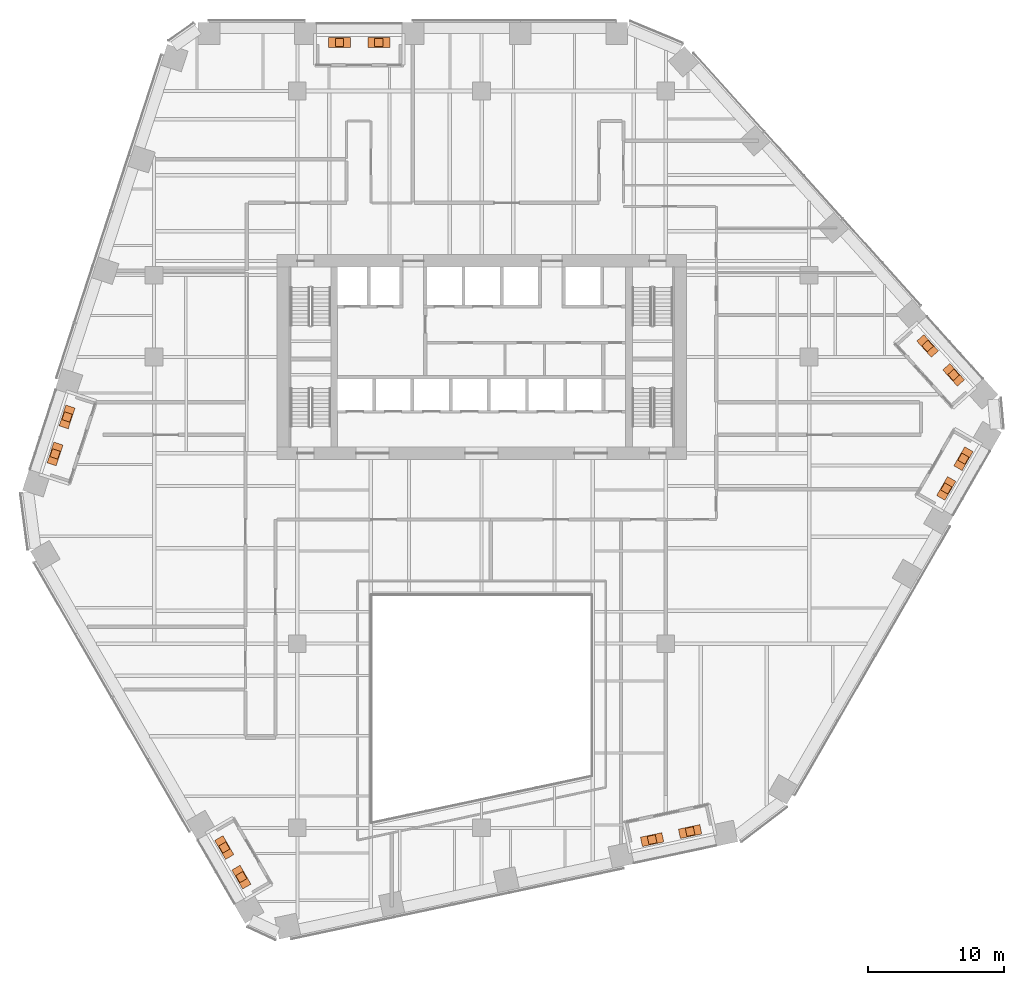
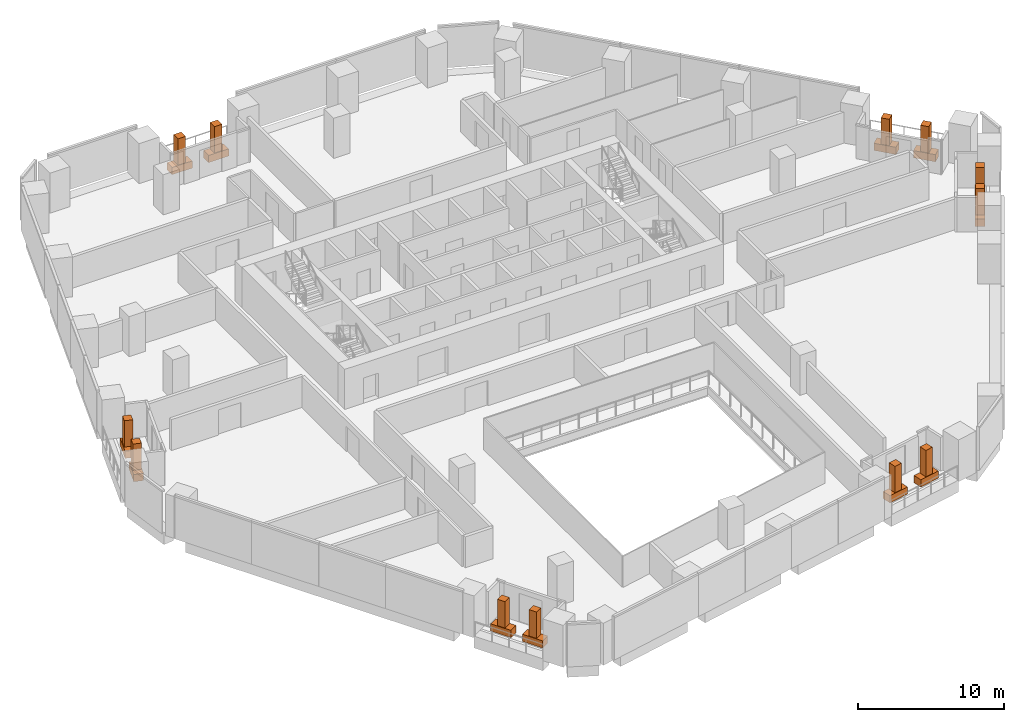
# One storey, part 31 of 31: 12 geographic elements, 12 proxies.
"""IFC4 building model written with IfcOpenShell, lengths in metres."""

import ifcopenshell
import ifcopenshell.guid

model = None  # the IFC model being written
_history = None  # IfcOwnerHistory: only IFC2X3 demands one
_inside = {}  # id of a spatial element -> (the spatial element, [elements in it])
_under = {}  # id of a project, library or spatial element -> (it, [spatial elements below it])
_declared = {}  # id of a project -> (the project, [libraries it declares])
_typed = {}  # id of a type object -> (the type object, [elements of that type])
_made_of = {}  # id of a material, layer set ... -> (it, [elements and type objects made of it])


def new_model(schema):
    """Start an empty IFC model of exactly this schema.

    Asked for "IFC4X3", IfcOpenShell would pick the latest addendum, in which some entities
    have other attributes; the version numbers below select the first issue.
    IFC2X3 requires an IfcOwnerHistory on every rooted entity: one is made here for all.
    """
    global model, _history
    if schema == "IFC4X3":
        model = ifcopenshell.file(schema_version=(4, 3, 0, 0))
    else:
        model = ifcopenshell.file(schema=schema)
    _inside.clear()
    _under.clear()
    _declared.clear()
    _typed.clear()
    _made_of.clear()
    _history = None
    if model.schema == "IFC2X3":
        org = make("IfcOrganization", Name="unknown")
        user = make(
            "IfcPersonAndOrganization",
            ThePerson=make("IfcPerson", FamilyName="unknown"),
            TheOrganization=org,
        )
        app = make(
            "IfcApplication",
            ApplicationDeveloper=org,
            Version="unknown",
            ApplicationFullName="unknown",
            ApplicationIdentifier="unknown",
        )
        _history = make(
            "IfcOwnerHistory",
            OwningUser=user,
            OwningApplication=app,
            ChangeAction="ADDED",
            CreationDate=0,
        )
    return model


def make(cls, **values):
    """One entity of the class cls with the attributes given. An attribute that is None is left unset."""
    return model.create_entity(
        cls, **{name: value for name, value in values.items() if value is not None}
    )


def rooted(cls, **values):
    """An entity with a GlobalId (a new one), such as an element, a storey or a relation."""
    return make(cls, GlobalId=ifcopenshell.guid.new(), OwnerHistory=_history, **values)


def si_unit(unit_type, name, prefix=None):
    """IfcSIUnit, for example si_unit("LENGTHUNIT", "METRE", prefix="MILLI")."""
    return make("IfcSIUnit", UnitType=unit_type, Prefix=prefix, Name=name)


def assignment(units):
    """IfcUnitAssignment: the units of a project."""
    return None if units is None else make("IfcUnitAssignment", Units=units)


def point(xyz):
    """IfcCartesianPoint."""
    return None if xyz is None else make("IfcCartesianPoint", Coordinates=xyz)


def direction(xyz):
    """IfcDirection."""
    return None if xyz is None else make("IfcDirection", DirectionRatios=xyz)


def frame(location, z_axis=None, x_axis=None):
    """IfcAxis2Placement3D, a coordinate frame: its origin and axes. An axis left out is left unset."""
    return make(
        "IfcAxis2Placement3D",
        Location=point(location),
        Axis=direction(z_axis),
        RefDirection=direction(x_axis),
    )


def frame_2d(location, x_axis=None):
    """IfcAxis2Placement2D, a coordinate frame in the plane: its origin and x axis."""
    return make(
        "IfcAxis2Placement2D", Location=point(location), RefDirection=direction(x_axis)
    )


def origin():
    """The frame at (0, 0, 0) with its axes left unset."""
    return frame((0.0, 0.0, 0.0))


def origin_2d():
    """The frame at (0, 0) in the plane with its x axis left unset."""
    return frame_2d((0.0, 0.0))


def place(relative_to, where):
    """IfcLocalPlacement: puts the frame where relative to a parent placement (None: the world)."""
    return make(
        "IfcLocalPlacement", PlacementRelTo=relative_to, RelativePlacement=where
    )


def context(
    kind, dimensions, precision=None, world=None, true_north=None, identifier=None
):
    """IfcGeometricRepresentationContext, for example the 3D "Model" context."""
    return make(
        "IfcGeometricRepresentationContext",
        ContextIdentifier=identifier,
        ContextType=kind,
        CoordinateSpaceDimension=dimensions,
        Precision=precision,
        WorldCoordinateSystem=world,
        TrueNorth=true_north,
    )


def subcontext(parent, identifier, kind, view, scale=None):
    """IfcGeometricRepresentationSubContext, for example "Body" below "Model"."""
    return make(
        "IfcGeometricRepresentationSubContext",
        ContextIdentifier=identifier,
        ContextType=kind,
        ParentContext=parent,
        TargetScale=scale,
        TargetView=view,
    )


def project(units=None, contexts=None):
    """IfcProject with its units and contexts."""
    return rooted(
        "IfcProject",
        Name="project",
        RepresentationContexts=contexts,
        UnitsInContext=assignment(units),
    )


def spatial(cls, under=None, at=None, **own):
    """A site, building, storey or space (cls), placed at a placement, below another one or the project."""
    s = rooted(cls, ObjectPlacement=at, **own)
    if under is not None:
        _under.setdefault(under.id(), (under, []))[1].append(s)
    return s


def profile(cls, at=None, kind="AREA", **sizes):
    """A parametric profile (cls). Its sizes go by their IFC names, for example OverallWidth=200.0."""
    return make(cls, ProfileType=kind, Position=at, **sizes)


def rectangle(**sizes):
    """IfcRectangleProfileDef."""
    return profile("IfcRectangleProfileDef", **sizes)


def extrude(swept, where, along, depth):
    """IfcExtrudedAreaSolid: the profile swept, set in the frame where, extruded along a direction by depth."""
    return make(
        "IfcExtrudedAreaSolid",
        SweptArea=swept,
        Position=where,
        ExtrudedDirection=direction(along),
        Depth=depth,
    )


def shape(context_of_items, identifier, shape_type, items):
    """IfcShapeRepresentation: the items that make up one representation, for example the "Body"."""
    return make(
        "IfcShapeRepresentation",
        ContextOfItems=context_of_items,
        RepresentationIdentifier=identifier,
        RepresentationType=shape_type,
        Items=items,
    )


def material(Name=None, Category=None):
    """IfcMaterial."""
    return make("IfcMaterial", Name=Name, Category=Category)


def made_of(thing, what):
    """Note that an element or type object is made of a material, layer set ...; save() writes the relation."""
    if what is not None:
        _made_of.setdefault(what.id(), (what, []))[1].append(thing)
    return thing


def type_object(cls, material=None, **own):
    """A type object (cls), such as IfcWallType, which elements share."""
    return made_of(rooted(cls, **own), material)


def element(
    cls,
    number,
    at=None,
    inside=None,
    cuts=None,
    type_object=None,
    material=None,
    context=None,
    identifier="Body",
    shape_type=None,
    held_by="IfcProductDefinitionShape",
    body=None,
    shapes=None,
    **own,
):
    """One element of the class cls, such as IfcWall. Its Tag is "e" and its number.

    at: its placement. inside: the storey or other place that contains it. cuts: it is an
    opening in that element (IfcRelVoidsElement). A single representation is given by context,
    identifier, shape_type and body (its items); several are given by shapes. held_by: the class
    of the entity that holds the representations. save() writes the other relations.
    """
    e = rooted(cls, Tag="e%d" % number, ObjectPlacement=at, **own)
    if body is not None:
        shapes = [shape(context, identifier, shape_type, body)]
    if shapes is not None:
        e.Representation = make(held_by, Representations=shapes)
    if inside is not None:
        _inside.setdefault(inside.id(), (inside, []))[1].append(e)
    if cuts is not None:
        rooted(
            "IfcRelVoidsElement", RelatingBuildingElement=cuts, RelatedOpeningElement=e
        )
    if type_object is not None:
        _typed.setdefault(type_object.id(), (type_object, []))[1].append(e)
    return made_of(e, material)


def aggregate(whole, parts):
    """IfcRelAggregates: a whole, such as a stair, and the parts it consists of."""
    return rooted("IfcRelAggregates", RelatingObject=whole, RelatedObjects=parts)


def save(model, path):
    """Write the relations noted so far, then the file.

    IfcRelAggregates (storeys below a building ...), IfcRelContainedInSpatialStructure (elements
    in a storey), IfcRelDefinesByType, IfcRelAssociatesMaterial and IfcRelDeclares: one each for
    every whole, place, type object, material and project.
    """
    for whole, parts in _under.values():
        aggregate(whole, parts)
    for where, things in _inside.values():
        rooted(
            "IfcRelContainedInSpatialStructure",
            RelatedElements=things,
            RelatingStructure=where,
        )
    for kind, things in _typed.values():
        rooted("IfcRelDefinesByType", RelatedObjects=things, RelatingType=kind)
    for what, things in _made_of.values():
        rooted("IfcRelAssociatesMaterial", RelatedObjects=things, RelatingMaterial=what)
    for by, libraries in _declared.values():
        rooted("IfcRelDeclares", RelatingContext=by, RelatedDefinitions=libraries)
    model.write(path)


model = new_model("IFC4")

# Units and contexts
model_context = context("Model", 3, precision=1e-05, world=origin(), true_north=direction((0.0, 1.0)))
body_context = subcontext(model_context, "Body", "Model", "MODEL_VIEW")
ifc_project = project(units=[si_unit("LENGTHUNIT", "METRE"), si_unit("AREAUNIT", "SQUARE_METRE"), si_unit("VOLUMEUNIT", "CUBIC_METRE"), si_unit("PLANEANGLEUNIT", "RADIAN"), si_unit("MASSUNIT", "GRAM", prefix="KILO")], contexts=[model_context])

# Site, building, storey
site_placement = place(None, origin())
site = spatial("IfcSite", under=ifc_project, at=site_placement, CompositionType="ELEMENT")
building_placement = place(site_placement, origin())
building = spatial("IfcBuilding", under=site, at=building_placement, Name="Isthmus Gate Tower", CompositionType="ELEMENT")
storey_placement = place(building_placement, frame((0.0, 0.0, 113.5)))
storey = spatial("IfcBuildingStorey", under=building, at=storey_placement, Name="L27", CompositionType="ELEMENT", Elevation=113.5)

# Geographic elements
ifc_material_1 = material(Name="Plant material, broadleaf tree")
geographic_element_type = type_object("IfcGeographicElementType", Name="BROADLEAF TREE 2200 HIGH", PredefinedType="USERDEFINED", material=ifc_material_1)
for number, where, z_axis, x_axis, name in (
    (1, (-7.530029296875, 30.550048828125, 0.60009765625), (0.0, 0.0, 1.0), (-1.0, 0.0, 0.0), "TREE"),
    (2, (-10.413818359375, 30.550048828125, 0.60009765625), (0.0, 0.0, 1.0), (-1.0, 0.0, 0.0), "TREE"),
    (3, (-30.37646484375, 3.10986328125, 0.60009765625), (0.0, 0.0, 1.0), (-0.309016994375, -0.951056516295, 0.0), "TREE"),
    (4, (-31.25634765625, 0.402099609375, 0.60009765625), (0.0, 0.0, 1.0), (-0.309016994375, -0.951056516295, 0.0), "TREE"),
    (5, (-18.85595703125, -28.440673828125, 0.60009765625), (0.0, 0.0, 1.0), (0.5, -0.866025403784, 0.0), "TREE"),
    (6, (-17.603759765625, -30.609130859375, 0.60009765625), (0.0, 0.0, 1.0), (0.5, -0.866025403784, 0.0), "TREE"),
    (7, (12.4951171875, -27.86181640625, 0.60009765625), (0.0, 0.0, 1.0), (0.978147600734, 0.207911690818, 0.0), "TREE"),
    (8, (15.27978515625, -27.269775390625, 0.60009765625), (0.0, 0.0, 1.0), (0.978147600734, 0.207911690818, 0.0), "TREE"),
    (9, (34.048828125, -2.125732421875, 0.60009765625), (0.0, 0.0, 1.0), (0.5, 0.866025403784, 0.0), "TREE"),
    (10, (35.306884765625, 0.05322265625, 0.60009765625), (0.0, 0.0, 1.0), (0.5, 0.866025403784, 0.0), "TREE"),
    (11, (34.58837890625, 6.197021484375, 0.60009765625), (0.0, 0.0, 1.0), (-0.669130606359, 0.743144825477, 0.0), "TREE"),
    (12, (32.68310546875, 8.312744140625, 0.60009765625), (0.0, 0.0, 1.0), (-0.669130606359, 0.743144825477, 0.0), "TREE"),
):
    element("IfcGeographicElement", number, at=place(storey_placement, frame(where, z_axis=z_axis, x_axis=x_axis)), inside=storey, type_object=geographic_element_type, Name=name, ObjectType="TREE", PredefinedType="USERDEFINED", context=body_context, shape_type="SweptSolid", body=[
        extrude(rectangle(XDim=0.60009765625, YDim=0.60009765625, at=origin_2d()), origin(), (0.0, 0.0, 1.0), 2.199951171875),
    ])

# Proxies
ifc_material_2 = material(Name="Concrete f'c 40 MPa", Category="concrete")
building_element_proxy_type = type_object("IfcBuildingElementProxyType", Name="CONCRETE PLANTER 1600 X 700 X 600", PredefinedType="USERDEFINED", material=ifc_material_2)
for number, where, z_axis, x_axis, name in (
    (13, (-7.530029296875, 30.550048828125, 0.0), (0.0, 0.0, 1.0), (-1.0, 0.0, 0.0), "PLANTER"),
    (14, (-10.413818359375, 30.550048828125, 0.0), (0.0, 0.0, 1.0), (-1.0, 0.0, 0.0), "PLANTER"),
    (15, (-30.37646484375, 3.10986328125, 0.0), (0.0, 0.0, 1.0), (-0.309016994375, -0.951056516295, 0.0), "PLANTER"),
    (16, (-31.25634765625, 0.402099609375, 0.0), (0.0, 0.0, 1.0), (-0.309016994375, -0.951056516295, 0.0), "PLANTER"),
    (17, (-18.85595703125, -28.440673828125, 0.0), (0.0, 0.0, 1.0), (0.5, -0.866025403784, 0.0), "PLANTER"),
    (18, (-17.603759765625, -30.609130859375, 0.0), (0.0, 0.0, 1.0), (0.5, -0.866025403784, 0.0), "PLANTER"),
    (19, (12.4951171875, -27.86181640625, 0.0), (0.0, 0.0, 1.0), (0.978147600734, 0.207911690818, 0.0), "PLANTER"),
    (20, (15.27978515625, -27.269775390625, 0.0), (0.0, 0.0, 1.0), (0.978147600734, 0.207911690818, 0.0), "PLANTER"),
    (21, (34.048828125, -2.125732421875, 0.0), (0.0, 0.0, 1.0), (0.5, 0.866025403784, 0.0), "PLANTER"),
    (22, (35.306884765625, 0.05322265625, 0.0), (0.0, 0.0, 1.0), (0.5, 0.866025403784, 0.0), "PLANTER"),
    (23, (34.58837890625, 6.197021484375, 0.0), (0.0, 0.0, 1.0), (-0.669130606359, 0.743144825477, 0.0), "PLANTER"),
    (24, (32.68310546875, 8.312744140625, 0.0), (0.0, 0.0, 1.0), (-0.669130606359, 0.743144825477, 0.0), "PLANTER"),
):
    element("IfcBuildingElementProxy", number, at=place(storey_placement, frame(where, z_axis=z_axis, x_axis=x_axis)), inside=storey, type_object=building_element_proxy_type, Name=name, ObjectType="PLANTER", PredefinedType="USERDEFINED", context=body_context, shape_type="SweptSolid", body=[
        extrude(rectangle(XDim=1.60009765625, YDim=0.699951171875, at=origin_2d()), origin(), (0.0, 0.0, 1.0), 0.60009765625),
    ])

save(model, "model.ifc")
